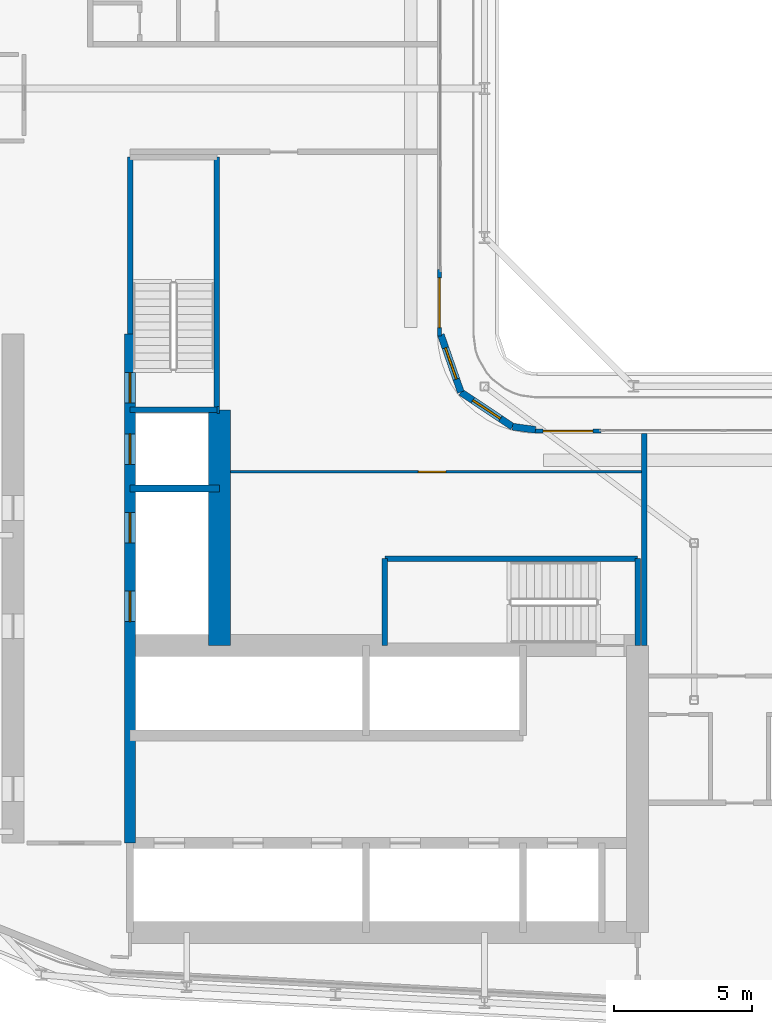
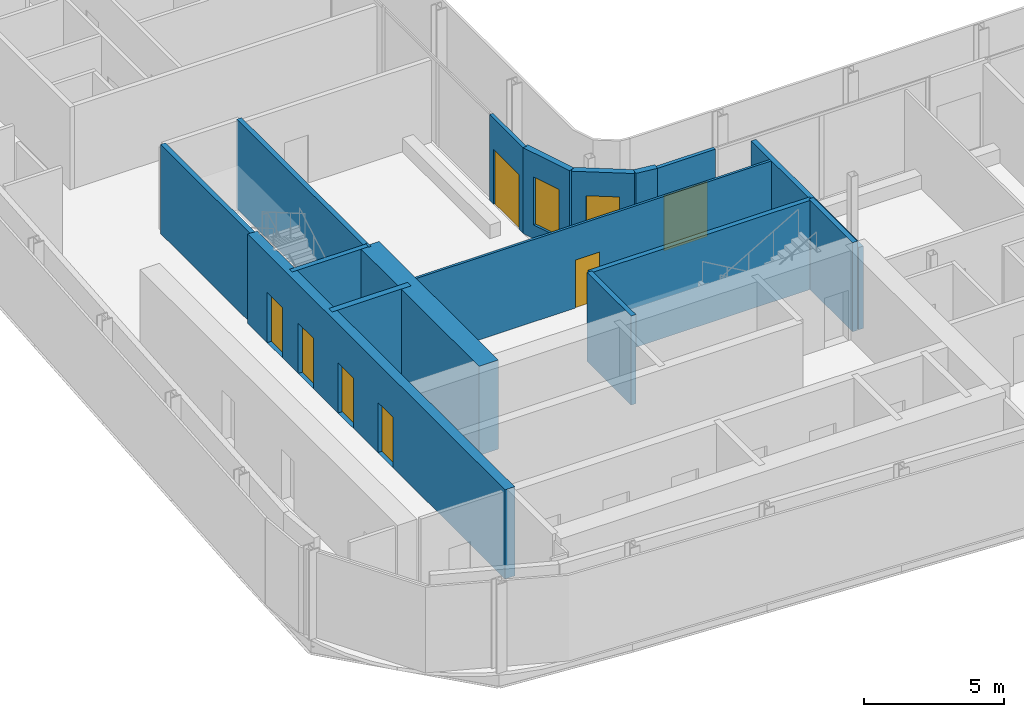
# One storey, part 15 of 29: 17 walls, 7 doors, 2 windows, 9 openings.
"""IFC4 building model written with IfcOpenShell, lengths in metres."""

from ifc_helpers import new_model, si_unit, direction, frame, frame_2d, origin, place, context, subcontext, project, spatial, rectangle, extrude, source, transform, mapped, material, layer, layer_set, type_object, element, fill, save


model = new_model("IFC4")

# Units and contexts
model_context = context("Model", 3, precision=1e-05, world=origin(), true_north=direction((0.0, 1.0)))
body_context = subcontext(model_context, "Body", "Model", "MODEL_VIEW")
ifc_project = project(units=[si_unit("LENGTHUNIT", "METRE"), si_unit("AREAUNIT", "SQUARE_METRE"), si_unit("VOLUMEUNIT", "CUBIC_METRE"), si_unit("PLANEANGLEUNIT", "RADIAN"), si_unit("MASSUNIT", "GRAM", prefix="KILO")], contexts=[model_context])

# Site, building, storey
site_placement = place(None, origin())
site = spatial("IfcSite", under=ifc_project, at=site_placement, CompositionType="ELEMENT")
building_placement = place(site_placement, origin())
building = spatial("IfcBuilding", under=site, at=building_placement, Name="Kheshtan School and Residences Tower", CompositionType="ELEMENT")
storey_placement = place(building_placement, frame((0.0, 0.0, 168.199951171875)))
storey = spatial("IfcBuildingStorey", under=building, at=storey_placement, Name="L39", CompositionType="ELEMENT", Elevation=168.199951171875)

# Wall, openings, doors
ifc_material_1 = material(Name="Concrete C50/60", Category="concrete")
ifc_layer_1 = layer(ifc_material_1, 0.39990234375)
ifc_layer_set_1 = layer_set([ifc_layer_1], Name="Core wall 400 Concrete C50/60")
wall_type_1 = type_object("IfcWallType", Name="Core wall 400 Concrete C50/60", PredefinedType="SHEAR", material=ifc_layer_set_1)
wall_1_placement = place(storey_placement, frame((34.75, 29.050048828125, 0.0), z_axis=(0.0, 0.0, 1.0), x_axis=(0.0, 1.0, 0.0)))
wall_1 = element("IfcWall", 1, at=wall_1_placement, inside=storey, type_object=wall_type_1, Name="Core wall CW-HALL-W1", PredefinedType="SHEAR", context=body_context, shape_type="SweptSolid", body=[
    extrude(rectangle(XDim=18.449951171875, YDim=0.39990234375, at=frame_2d((9.22509765625, 0.0))), origin(), (0.0, 0.0, 1.0), 3.900146484375),
])
opening_1_placement = place(wall_1_placement, frame((8.02490234375, 0.0, 0.0)))
opening_1 = element("IfcOpeningElement", 2, at=opening_1_placement, cuts=wall_1, Name="Opening LD", PredefinedType="OPENING", context=body_context, shape_type="SweptSolid", body=[
    extrude(rectangle(XDim=1.10009765625, YDim=2.199951171875, at=frame_2d((0.550048828125, 1.10009765625))), frame((0.0, 0.2099609375, 0.0), z_axis=(0.0, -1.0, 0.0), x_axis=(1.0, 0.0, 0.0)), (0.0, 0.0, 1.0), 0.419921875),
])
opening_2_placement = place(wall_1_placement, frame((10.875, 0.0, 0.0)))
opening_2 = element("IfcOpeningElement", 3, at=opening_2_placement, cuts=wall_1, Name="Opening LD", PredefinedType="OPENING", context=body_context, shape_type="SweptSolid", body=[
    extrude(rectangle(XDim=1.10009765625, YDim=2.199951171875, at=frame_2d((0.550048828125, 1.10009765625))), frame((0.0, 0.2099609375, 0.0), z_axis=(0.0, -1.0, 0.0), x_axis=(1.0, 0.0, 0.0)), (0.0, 0.0, 1.0), 0.419921875),
])
opening_3_placement = place(wall_1_placement, frame((13.72509765625, 0.0, 0.0)))
opening_3 = element("IfcOpeningElement", 4, at=opening_3_placement, cuts=wall_1, Name="Opening LD", PredefinedType="OPENING", context=body_context, shape_type="SweptSolid", body=[
    extrude(rectangle(XDim=1.10009765625, YDim=2.199951171875, at=frame_2d((0.550048828125, 1.10009765625))), frame((0.0, 0.2099609375, 0.0), z_axis=(0.0, -1.0, 0.0), x_axis=(1.0, 0.0, 0.0)), (0.0, 0.0, 1.0), 0.419921875),
])
opening_4_placement = place(wall_1_placement, frame((15.949951171875, 0.0, 0.0)))
opening_4 = element("IfcOpeningElement", 5, at=opening_4_placement, cuts=wall_1, Name="Opening ST2D", PredefinedType="OPENING", context=body_context, shape_type="SweptSolid", body=[
    extrude(rectangle(XDim=1.10009765625, YDim=2.199951171875, at=frame_2d((0.550048828125, 1.10009765625))), frame((0.0, 0.2099609375, 0.0), z_axis=(0.0, -1.0, 0.0), x_axis=(1.0, 0.0, 0.0)), (0.0, 0.0, 1.0), 0.419921875),
])
ifc_material_2 = material(Name="Stainless steel door leaves", Category="steel")
door_type_1 = type_object("IfcDoorType", Name="Lift landing door 1100", OperationType="SLIDING_TO_LEFT", PredefinedType="DOOR", material=ifc_material_2)
shared_shape_1 = source(origin(), body_context, "Body", "SweptSolid", [
    extrude(rectangle(XDim=1.10009765625, YDim=2.199951171875, at=frame_2d((0.550048828125, 1.10009765625))), frame((0.0, 0.02490234375, 0.0), z_axis=(0.0, -1.0, 0.0), x_axis=(1.0, 0.0, 0.0)), (0.0, 0.0, 1.0), 0.050048828125),
])
door_1_placement = place(opening_1_placement, origin())
door_1 = element("IfcDoor", 6, at=door_1_placement, inside=storey, type_object=door_type_1, Name="Lift SV1 landing door", OperationType="SLIDING_TO_LEFT", OverallHeight=2.199951171875, OverallWidth=1.10009765625, PredefinedType="DOOR", context=body_context, shape_type="MappedRepresentation", body=[
    mapped(shared_shape_1, transform((0.0, 0.0, 0.0), x_axis=(1.0, 0.0, 0.0), y_axis=(0.0, 1.0, 0.0), z_axis=(0.0, 0.0, 1.0), scale=1.0)),
])
fill(opening_1, door_1)
door_2_placement = place(opening_2_placement, origin())
door_2 = element("IfcDoor", 7, at=door_2_placement, inside=storey, type_object=door_type_1, Name="Lift SV2 landing door", OperationType="SLIDING_TO_LEFT", OverallHeight=2.199951171875, OverallWidth=1.10009765625, PredefinedType="DOOR", context=body_context, shape_type="MappedRepresentation", body=[
    mapped(shared_shape_1, transform((0.0, 0.0, 0.0), x_axis=(1.0, 0.0, 0.0), y_axis=(0.0, 1.0, 0.0), z_axis=(0.0, 0.0, 1.0), scale=1.0)),
])
fill(opening_2, door_2)
door_3_placement = place(opening_3_placement, origin())
door_3 = element("IfcDoor", 8, at=door_3_placement, inside=storey, type_object=door_type_1, Name="Lift FFL1 landing door", OperationType="SLIDING_TO_LEFT", OverallHeight=2.199951171875, OverallWidth=1.10009765625, PredefinedType="DOOR", context=body_context, shape_type="MappedRepresentation", body=[
    mapped(shared_shape_1, transform((0.0, 0.0, 0.0), x_axis=(1.0, 0.0, 0.0), y_axis=(0.0, 1.0, 0.0), z_axis=(0.0, 0.0, 1.0), scale=1.0)),
])
fill(opening_3, door_3)
ifc_material_3 = material(Name="Steel door leaf, galvanised", Category="steel")
door_type_2 = type_object("IfcDoorType", Name="Stair door 1100 steel 90 min", OperationType="SINGLE_SWING_LEFT", PredefinedType="DOOR", material=ifc_material_3)
shared_shape_2 = source(origin(), body_context, "Body", "SweptSolid", [
    extrude(rectangle(XDim=1.10009765625, YDim=2.199951171875, at=frame_2d((0.550048828125, 1.10009765625))), frame((0.0, 0.02490234375, 0.0), z_axis=(0.0, -1.0, 0.0), x_axis=(1.0, 0.0, 0.0)), (0.0, 0.0, 1.0), 0.050048828125),
])
door_4_placement = place(opening_4_placement, origin())
door_4 = element("IfcDoor", 9, at=door_4_placement, inside=storey, type_object=door_type_2, Name="Stair ST2 door", OperationType="SINGLE_SWING_RIGHT", OverallHeight=2.199951171875, OverallWidth=1.10009765625, PredefinedType="DOOR", context=body_context, shape_type="MappedRepresentation", body=[
    mapped(shared_shape_2, transform((0.0, 0.0, 0.0), x_axis=(1.0, 0.0, 0.0), y_axis=(0.0, 1.0, 0.0), z_axis=(0.0, 0.0, 1.0), scale=1.0)),
])
fill(opening_4, door_4)

# Wall
ifc_material_4 = material(Name="Concrete C70/85", Category="concrete")
ifc_layer_2 = layer(ifc_material_4, 0.800048828125)
ifc_layer_set_2 = layer_set([ifc_layer_2], Name="Core wall 800 Concrete C70/85")
wall_type_2 = type_object("IfcWallType", Name="Core wall 800 Concrete C70/85", PredefinedType="SHEAR", material=ifc_layer_set_2)
wall_2_placement = place(storey_placement, frame((38.0, 36.199951171875, 0.0), z_axis=(0.0, 0.0, 1.0), x_axis=(0.0, 1.0, 0.0)))
element("IfcWall", 10, at=wall_2_placement, inside=storey, type_object=wall_type_2, Name="Core wall CW-FRONT-W", PredefinedType="SHEAR", context=body_context, shape_type="SweptSolid", body=[
    extrude(rectangle(XDim=8.550048828125, YDim=0.800048828125, at=frame_2d((4.27490234375, 0.0))), origin(), (0.0, 0.0, 1.0), 3.900146484375),
])

# Wall, opening, window
ifc_material_5 = material(Name="Concrete C40/50 with ceramic cladding and mineral wool insulation", Category="concrete")
ifc_layer_3 = layer(ifc_material_5, 0.25)
ifc_layer_set_3 = layer_set([ifc_layer_3], Name="External wall 250 ceramic clad")
wall_type_3 = type_object("IfcWallType", Name="External wall 250 ceramic clad", PredefinedType="SOLIDWALL", material=ifc_layer_set_3)
wall_3_placement = place(storey_placement, frame((46.01806640625, 47.470947265625, 0.0), z_axis=(0.0, 0.0, 1.0), x_axis=(0.328791208903, -0.944402637093, 0.0)))
wall_3 = element("IfcWall", 11, at=wall_3_placement, inside=storey, type_object=wall_type_3, Name="External wall L39 9", PredefinedType="SOLIDWALL", context=body_context, shape_type="SweptSolid", body=[
    extrude(rectangle(XDim=2.20458984375, YDim=0.25, at=frame_2d((1.102294921875, 0.0))), origin(), (0.0, 0.0, 1.0), 3.75),
])
opening_5_placement = place(wall_3_placement, frame((0.5029296875, 0.0, 0.60009765625)))
opening_5 = element("IfcOpeningElement", 12, at=opening_5_placement, cuts=wall_3, Name="Opening WN-E", PredefinedType="OPENING", context=body_context, shape_type="SweptSolid", body=[
    extrude(rectangle(XDim=1.199951171875, YDim=2.10009765625, at=frame_2d((0.60009765625, 1.050048828125))), frame((0.0, 0.135009765625, 0.0), z_axis=(0.0, -1.0, 0.0), x_axis=(1.0, 0.0, 0.0)), (0.0, 0.0, 1.0), 0.27001953125),
])
ifc_material_6 = material(Name="Clear low-e glass in thermally broken aluminium frame", Category="aluminium")
window_type = type_object("IfcWindowType", Name="Window WN-E", PartitioningType="SINGLE_PANEL", PredefinedType="WINDOW", material=ifc_material_6)
shared_shape_3 = source(origin(), body_context, "Body", "SweptSolid", [
    extrude(rectangle(XDim=1.199951171875, YDim=2.10009765625, at=frame_2d((0.60009765625, 1.050048828125))), frame((0.0, 0.030029296875, 0.0), z_axis=(0.0, -1.0, 0.0), x_axis=(1.0, 0.0, 0.0)), (0.0, 0.0, 1.0), 0.06005859375),
])
window_1_placement = place(opening_5_placement, origin())
window_1 = element("IfcWindow", 13, at=window_1_placement, inside=storey, type_object=window_type, Name="Window L39 9", OverallHeight=2.10009765625, OverallWidth=1.199951171875, PartitioningType="SINGLE_PANEL", PredefinedType="WINDOW", context=body_context, shape_type="MappedRepresentation", body=[
    mapped(shared_shape_3, transform((0.0, 0.0, 0.0), x_axis=(1.0, 0.0, 0.0), y_axis=(0.0, 1.0, 0.0), z_axis=(0.0, 0.0, 1.0), scale=1.0)),
])
fill(opening_5, window_1)

wall_4_placement = place(storey_placement, frame((46.742919921875, 45.388916015625, 0.0), z_axis=(0.0, 0.0, 1.0), x_axis=(0.831449265529, -0.555600682912, 0.0)))
wall_4 = element("IfcWall", 14, at=wall_4_placement, inside=storey, type_object=wall_type_3, Name="External wall L39 10", PredefinedType="SOLIDWALL", context=body_context, shape_type="SweptSolid", body=[
    extrude(rectangle(XDim=2.25146484375, YDim=0.25, at=frame_2d((1.125732421875, 0.0))), origin(), (0.0, 0.0, 1.0), 3.75),
])
opening_6_placement = place(wall_4_placement, frame((0.52490234375, 0.0, 0.60009765625)))
opening_6 = element("IfcOpeningElement", 15, at=opening_6_placement, cuts=wall_4, Name="Opening WN-E", PredefinedType="OPENING", context=body_context, shape_type="SweptSolid", body=[
    extrude(rectangle(XDim=1.199951171875, YDim=2.10009765625, at=frame_2d((0.60009765625, 1.050048828125))), frame((0.0, 0.135009765625, 0.0), z_axis=(0.0, -1.0, 0.0), x_axis=(1.0, 0.0, 0.0)), (0.0, 0.0, 1.0), 0.27001953125),
])
window_2_placement = place(opening_6_placement, origin())
window_2 = element("IfcWindow", 16, at=window_2_placement, inside=storey, type_object=window_type, Name="Window L39 10", OverallHeight=2.10009765625, OverallWidth=1.199951171875, PartitioningType="SINGLE_PANEL", PredefinedType="WINDOW", context=body_context, shape_type="MappedRepresentation", body=[
    mapped(shared_shape_3, transform((0.0, 0.0, 0.0), x_axis=(1.0, 0.0, 0.0), y_axis=(0.0, 1.0, 0.0), z_axis=(0.0, 0.0, 1.0), scale=1.0)),
])
fill(opening_6, window_2)

# Wall
wall_5_placement = place(storey_placement, frame((48.614990234375, 44.137939453125, 0.0), z_axis=(0.0, 0.0, 1.0), x_axis=(0.990741504246, -0.135761819977, 0.0)))
element("IfcWall", 17, at=wall_5_placement, inside=storey, type_object=wall_type_3, Name="External wall L39 11", PredefinedType="SOLIDWALL", context=body_context, shape_type="SweptSolid", body=[
    extrude(rectangle(XDim=0.83984375, YDim=0.25, at=frame_2d((0.419921875, 0.0))), origin(), (0.0, 0.0, 1.0), 3.75),
])

# Wall, opening, door
ifc_material_7 = material(Name="Aluminium frame wall with insulated infill", Category="aluminium")
ifc_layer_4 = layer(ifc_material_7, 0.14990234375)
ifc_layer_set_4 = layer_set([ifc_layer_4], Name="Glazing frame wall 150")
wall_type_4 = type_object("IfcWallType", Name="Glazing frame wall 150", PredefinedType="SOLIDWALL", material=ifc_layer_set_4)
wall_6_placement = place(storey_placement, frame((45.97509765625, 49.830078125, 0.0), z_axis=(0.0, 0.0, 1.0), x_axis=(0.0, -1.0, 0.0)))
wall_6 = element("IfcWall", 18, at=wall_6_placement, inside=storey, type_object=wall_type_4, Name="Balcony door wall L39 8.5", PredefinedType="SOLIDWALL", context=body_context, shape_type="SweptSolid", body=[
    extrude(rectangle(XDim=2.400146484375, YDim=0.14990234375, at=frame_2d((1.2001953125, 0.0))), origin(), (0.0, 0.0, 1.0), 3.75),
])
opening_7_placement = place(wall_6_placement, frame((0.300048828125, 0.0, 0.0)))
opening_7 = element("IfcOpeningElement", 19, at=opening_7_placement, cuts=wall_6, Name="Opening BD", PredefinedType="OPENING", context=body_context, shape_type="SweptSolid", body=[
    extrude(rectangle(XDim=1.800048828125, YDim=2.39990234375, at=frame_2d((0.89990234375, 1.199951171875))), frame((0.0, 0.0849609375, 0.0), z_axis=(0.0, -1.0, 0.0), x_axis=(1.0, 0.0, 0.0)), (0.0, 0.0, 1.0), 0.169921875),
])
door_type_3 = type_object("IfcDoorType", Name="Balcony sliding door", OperationType="SLIDING_TO_LEFT", PredefinedType="DOOR", material=ifc_material_6)
shared_shape_4 = source(origin(), body_context, "Body", "SweptSolid", [
    extrude(rectangle(XDim=1.800048828125, YDim=2.39990234375, at=frame_2d((0.89990234375, 1.199951171875))), frame((0.0, 0.02490234375, 0.0), z_axis=(0.0, -1.0, 0.0), x_axis=(1.0, 0.0, 0.0)), (0.0, 0.0, 1.0), 0.050048828125),
])
door_5_placement = place(opening_7_placement, origin())
door_5 = element("IfcDoor", 20, at=door_5_placement, inside=storey, type_object=door_type_3, Name="Balcony door L39 8.5", OperationType="SLIDING_TO_LEFT", OverallHeight=2.39990234375, OverallWidth=1.800048828125, PredefinedType="DOOR", context=body_context, shape_type="MappedRepresentation", body=[
    mapped(shared_shape_4, transform((0.0, 0.0, 0.0), x_axis=(1.0, 0.0, 0.0), y_axis=(0.0, 1.0, 0.0), z_axis=(0.0, 0.0, 1.0), scale=1.0)),
])
fill(opening_7, door_5)

wall_7_placement = place(storey_placement, frame((49.429931640625, 43.97509765625, 0.0), z_axis=(0.0, 0.0, 1.0), x_axis=(1.0, 0.0, 0.0)))
wall_7 = element("IfcWall", 21, at=wall_7_placement, inside=storey, type_object=wall_type_4, Name="Balcony door wall L39 12.1", PredefinedType="SOLIDWALL", context=body_context, shape_type="SweptSolid", body=[
    extrude(rectangle(XDim=2.400146484375, YDim=0.14990234375, at=frame_2d((1.2001953125, 0.0))), origin(), (0.0, 0.0, 1.0), 3.75),
])
opening_8_placement = place(wall_7_placement, frame((0.300048828125, 0.0, 0.0)))
opening_8 = element("IfcOpeningElement", 22, at=opening_8_placement, cuts=wall_7, Name="Opening BD", PredefinedType="OPENING", context=body_context, shape_type="SweptSolid", body=[
    extrude(rectangle(XDim=1.800048828125, YDim=2.39990234375, at=frame_2d((0.89990234375, 1.199951171875))), frame((0.0, 0.0849609375, 0.0), z_axis=(0.0, -1.0, 0.0), x_axis=(1.0, 0.0, 0.0)), (0.0, 0.0, 1.0), 0.169921875),
])
door_6_placement = place(opening_8_placement, origin())
door_6 = element("IfcDoor", 23, at=door_6_placement, inside=storey, type_object=door_type_3, Name="Balcony door L39 12.1", OperationType="SLIDING_TO_LEFT", OverallHeight=2.39990234375, OverallWidth=1.800048828125, PredefinedType="DOOR", context=body_context, shape_type="MappedRepresentation", body=[
    mapped(shared_shape_4, transform((0.0, 0.0, 0.0), x_axis=(1.0, 0.0, 0.0), y_axis=(0.0, 1.0, 0.0), z_axis=(0.0, 0.0, 1.0), scale=1.0)),
])
fill(opening_8, door_6)

ifc_material_8 = material(Name="Gypsum board on steel studs", Category="steel")
ifc_layer_5 = layer(ifc_material_8, 0.10009765625)
ifc_layer_set_5 = layer_set([ifc_layer_5], Name="Gypsum partition 100")
wall_type_5 = type_object("IfcWallType", Name="Gypsum partition 100", PredefinedType="PARTITIONING", material=ifc_layer_set_5)
wall_8_placement = place(storey_placement, frame((38.39892578125, 42.5, 0.0), z_axis=(0.0, 0.0, 1.0), x_axis=(1.0, 0.0, 0.0)))
wall_8 = element("IfcWall", 24, at=wall_8_placement, inside=storey, type_object=wall_type_5, Name="Partition L39-033", PredefinedType="PARTITIONING", context=body_context, shape_type="SweptSolid", body=[
    extrude(rectangle(XDim=14.901123046875, YDim=0.10009765625, at=frame_2d((7.45068359375, 0.0))), origin(), (0.0, 0.0, 1.0), 3.60009765625),
])
opening_9_placement = place(wall_8_placement, frame((6.801025390625, 0.0, 0.0)))
opening_9 = element("IfcOpeningElement", 25, at=opening_9_placement, cuts=wall_8, Name="Opening D39-049", PredefinedType="OPENING", context=body_context, shape_type="SweptSolid", body=[
    extrude(rectangle(XDim=1.0, YDim=2.10009765625, at=frame_2d((0.5, 1.050048828125))), frame((0.0, 0.06005859375, 0.0), z_axis=(0.0, -1.0, 0.0), x_axis=(1.0, 0.0, 0.0)), (0.0, 0.0, 1.0), 0.1201171875),
])
ifc_material_9 = material(Name="Veneered timber door leaf", Category="wood")
door_type_4 = type_object("IfcDoorType", Name="Door 1000 x 2100", OperationType="SINGLE_SWING_LEFT", PredefinedType="DOOR", material=ifc_material_9)
shared_shape_5 = source(origin(), body_context, "Body", "SweptSolid", [
    extrude(rectangle(XDim=1.0, YDim=2.10009765625, at=frame_2d((0.5, 1.050048828125))), frame((0.0, 0.02490234375, 0.0), z_axis=(0.0, -1.0, 0.0), x_axis=(1.0, 0.0, 0.0)), (0.0, 0.0, 1.0), 0.050048828125),
])
door_7_placement = place(opening_9_placement, origin())
door_7 = element("IfcDoor", 26, at=door_7_placement, inside=storey, type_object=door_type_4, Name="Door D39-049", OperationType="SINGLE_SWING_LEFT", OverallHeight=2.10009765625, OverallWidth=1.0, PredefinedType="DOOR", context=body_context, shape_type="MappedRepresentation", body=[
    mapped(shared_shape_5, transform((0.0, 0.0, 0.0), x_axis=(1.0, 0.0, 0.0), y_axis=(0.0, 1.0, 0.0), z_axis=(0.0, 0.0, 1.0), scale=1.0)),
])
fill(opening_9, door_7)

# Walls
ifc_material_10 = material(Name="Fire-board shaft wall system")
ifc_layer_6 = layer(ifc_material_10, 0.25)
ifc_layer_set_6 = layer_set([ifc_layer_6], Name="Shaft lining wall 250")
wall_type_6 = type_object("IfcWallType", Name="Shaft lining wall 250", PredefinedType="PARTITIONING", material=ifc_layer_set_6)
wall_9_placement = place(storey_placement, frame((34.75, 41.89990234375, 0.0), z_axis=(0.0, 0.0, 1.0), x_axis=(1.0, 0.0, 0.0)))
element("IfcWall", 27, at=wall_9_placement, inside=storey, type_object=wall_type_6, Name="Shaft lining wall", PredefinedType="PARTITIONING", context=body_context, shape_type="SweptSolid", body=[
    extrude(rectangle(XDim=3.25, YDim=0.25, at=frame_2d((1.625, 0.0))), origin(), (0.0, 0.0, 1.0), 3.900146484375),
])
wall_10_placement = place(storey_placement, frame((37.89990234375, 44.75, 0.0), z_axis=(0.0, 0.0, 1.0), x_axis=(1.0, 0.0, 0.0)))
element("IfcWall", 28, at=wall_10_placement, inside=storey, type_object=wall_type_6, Name="Shaft lining wall", PredefinedType="PARTITIONING", context=body_context, shape_type="SweptSolid", body=[
    extrude(rectangle(XDim=0.10009765625, YDim=0.25, at=frame_2d((0.050048828125, 0.0))), origin(), (0.0, 0.0, 1.0), 3.900146484375),
])
ifc_material_11 = material(Name="Concrete C40/50", Category="concrete")
ifc_layer_7 = layer(ifc_material_11, 0.199951171875)
ifc_layer_set_7 = layer_set([ifc_layer_7], Name="Stair enclosure wall 200 Concrete C40/50")
wall_type_7 = type_object("IfcWallType", Name="Stair enclosure wall 200 Concrete C40/50", PredefinedType="SHEAR", material=ifc_layer_set_7)
wall_11_placement = place(storey_placement, frame((43.989990234375, 39.35009765625, 0.0), z_axis=(0.0, 0.0, 1.0), x_axis=(1.0, 0.0, 0.0)))
element("IfcWall", 29, at=wall_11_placement, inside=storey, type_object=wall_type_7, Name="Stair enclosure wall ST1", PredefinedType="SHEAR", context=body_context, shape_type="SweptSolid", body=[
    extrude(rectangle(XDim=9.159912109375, YDim=0.199951171875, at=frame_2d((4.580078125, 0.0))), origin(), (0.0, 0.0, 1.0), 3.900146484375),
])
for number, where, z_axis, x_axis, name in (
    (30, (43.989990234375, 36.199951171875, 0.0), (0.0, 0.0, 1.0), (0.0, 1.0, 0.0), "Stair enclosure wall ST1"),
    (31, (53.14990234375, 36.199951171875, 0.0), (0.0, 0.0, 1.0), (0.0, 1.0, 0.0), "Stair enclosure wall ST1"),
):
    element("IfcWall", number, at=place(storey_placement, frame(where, z_axis=z_axis, x_axis=x_axis)), inside=storey, type_object=wall_type_7, Name=name, PredefinedType="SHEAR", context=body_context, shape_type="SweptSolid", body=[
        extrude(rectangle(XDim=3.150146484375, YDim=0.199951171875, at=frame_2d((1.5751953125, 0.0))), origin(), (0.0, 0.0, 1.0), 3.900146484375),
    ])
wall_12_placement = place(storey_placement, frame((34.75, 44.75, 0.0), z_axis=(0.0, 0.0, 1.0), x_axis=(1.0, 0.0, 0.0)))
element("IfcWall", 32, at=wall_12_placement, inside=storey, type_object=wall_type_7, Name="Stair enclosure wall ST2", PredefinedType="SHEAR", context=body_context, shape_type="SweptSolid", body=[
    extrude(rectangle(XDim=3.14990234375, YDim=0.199951171875, at=frame_2d((1.574951171875, 0.0))), origin(), (0.0, 0.0, 1.0), 3.900146484375),
])
wall_13_placement = place(storey_placement, frame((34.75, 47.5, 0.0), z_axis=(0.0, 0.0, 1.0), x_axis=(0.0, 1.0, 0.0)))
element("IfcWall", 33, at=wall_13_placement, inside=storey, type_object=wall_type_7, Name="Stair enclosure wall ST2", PredefinedType="SHEAR", context=body_context, shape_type="SweptSolid", body=[
    extrude(rectangle(XDim=6.409912109375, YDim=0.199951171875, at=frame_2d((3.205078125, 0.0))), origin(), (0.0, 0.0, 1.0), 3.900146484375),
])
wall_14_placement = place(storey_placement, frame((37.89990234375, 44.75, 0.0), z_axis=(0.0, 0.0, 1.0), x_axis=(0.0, 1.0, 0.0)))
element("IfcWall", 34, at=wall_14_placement, inside=storey, type_object=wall_type_7, Name="Stair enclosure wall ST2", PredefinedType="SHEAR", context=body_context, shape_type="SweptSolid", body=[
    extrude(rectangle(XDim=9.159912109375, YDim=0.199951171875, at=frame_2d((4.580078125, 0.0))), origin(), (0.0, 0.0, 1.0), 3.900146484375),
])
ifc_material_12 = material(Name="Twin gypsum board on steel studs with mineral wool", Category="steel")
ifc_layer_8 = layer(ifc_material_12, 0.199951171875)
ifc_layer_set_8 = layer_set([ifc_layer_8], Name="Unit demising wall 200")
wall_type_8 = type_object("IfcWallType", Name="Unit demising wall 200", PredefinedType="PARTITIONING", material=ifc_layer_set_8)
wall_15_placement = place(storey_placement, frame((53.39990234375, 36.198974609375, 0.0), z_axis=(0.0, 0.0, 1.0), x_axis=(0.0, 1.0, 0.0)))
element("IfcWall", 35, at=wall_15_placement, inside=storey, type_object=wall_type_8, Name="Partition L39-036", PredefinedType="PARTITIONING", context=body_context, shape_type="SweptSolid", body=[
    extrude(rectangle(XDim=7.700927734375, YDim=0.199951171875, at=frame_2d((3.8505859375, 0.0))), origin(), (0.0, 0.0, 1.0), 3.60009765625),
])

save(model, "model.ifc")
